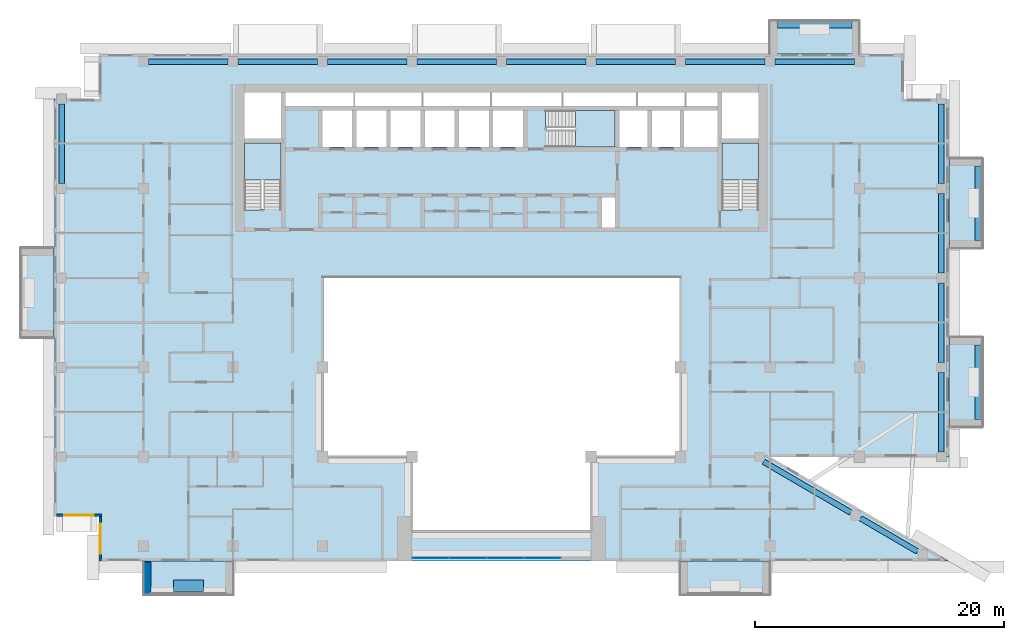
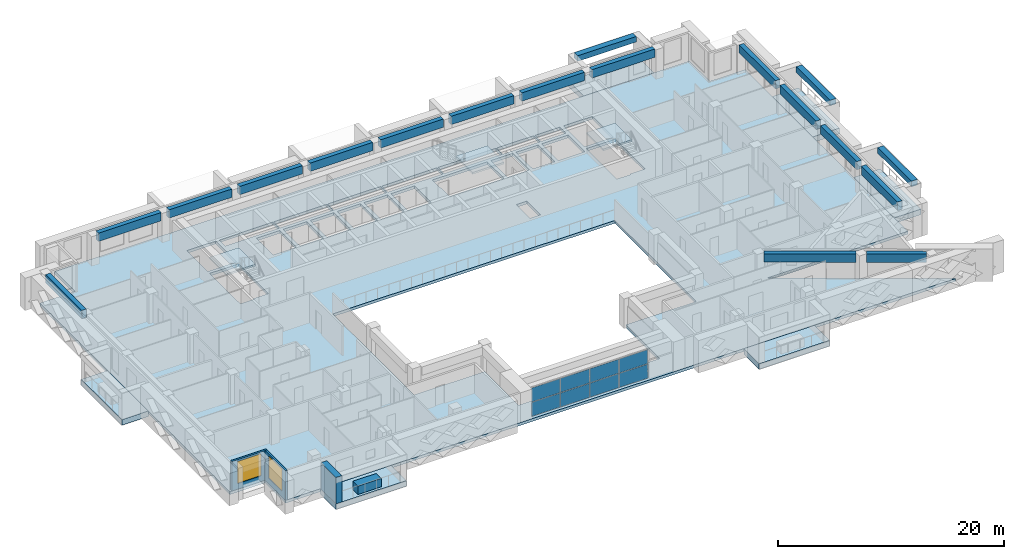
# One storey, part 5 of 20: 18 beams, 10 slabs, 8 plates, 4 walls, 2 windows, 2 openings, 4 elements without a shape of their own.
"""IFC4 building model written with IfcOpenShell, lengths in metres."""

from ifc_helpers import new_model, si_unit, direction, frame, frame_2d, origin, origin_2d, place, context, subcontext, project, spatial, polyline, rectangle, outline, extrude, source, transform, mapped, material, layer, layer_set, material_profile, profile_set, type_object, element, fill, aggregate, save


model = new_model("IFC4")

# Units and contexts
model_context = context("Model", 3, precision=1e-05, world=origin(), true_north=direction((0.0, 1.0)))
body_context = subcontext(model_context, "Body", "Model", "MODEL_VIEW")
ifc_project = project(units=[si_unit("LENGTHUNIT", "METRE"), si_unit("AREAUNIT", "SQUARE_METRE"), si_unit("VOLUMEUNIT", "CUBIC_METRE"), si_unit("PLANEANGLEUNIT", "RADIAN"), si_unit("MASSUNIT", "GRAM", prefix="KILO")], contexts=[model_context])

# Site, building, storey
site_placement = place(None, origin())
site = spatial("IfcSite", under=ifc_project, at=site_placement, CompositionType="ELEMENT")
building_placement = place(site_placement, origin())
building = spatial("IfcBuilding", under=site, at=building_placement, Name="Saffron Iwan Residences", CompositionType="ELEMENT")
storey_placement = place(building_placement, frame((0.0, 0.0, 188.5)))
storey = spatial("IfcBuildingStorey", under=building, at=storey_placement, Name="L50", CompositionType="ELEMENT", Elevation=188.5)

# Beams
ifc_material_1 = material(Name="Concrete C50/60", Category="concrete")
ifc_material_profile_1 = material_profile(ifc_material_1, rectangle(XDim=0.449951171875, YDim=0.89990234375, at=origin_2d()), Name="RC 450x900")
ifc_profile_set_1 = profile_set([ifc_material_profile_1], Name="Concrete C50/60")
beam_type_1 = type_object("IfcBeamType", Name="SPANDREL BEAM RC 450x900 C50/60 TOP 3200", PredefinedType="SPANDREL", material=ifc_profile_set_1)
shared_shape_1 = source(origin(), body_context, "Body", "SweptSolid", [
    extrude(rectangle(XDim=0.449951171875, YDim=0.89990234375, at=origin_2d()), origin(), (0.0, 0.0, 1.0), 5.300537109375),
])
beam_1_placement = place(storey_placement, frame((79.297607421875, 43.04833984375, 2.75), z_axis=(0.86379560586, -0.503842387357, 0.0), x_axis=(0.503842387357, 0.86379560586, 0.0)))
element("IfcBeam", 1, at=beam_1_placement, inside=storey, type_object=beam_type_1, Name="Spandrel beam", PredefinedType="SPANDREL", context=body_context, shape_type="MappedRepresentation", body=[
    mapped(shared_shape_1, transform((0.0, 0.0, 0.0))),
])
shared_shape_2 = source(origin(), body_context, "Body", "SweptSolid", [
    extrude(rectangle(XDim=0.449951171875, YDim=0.89990234375, at=origin_2d()), origin(), (0.0, 0.0, 1.0), 8.107177734375),
])
beam_2_placement = place(storey_placement, frame((71.494873046875, 47.60009765625, 2.75), z_axis=(0.863783269703, -0.503863536071, 0.0), x_axis=(0.503863536071, 0.863783269703, 0.0)))
element("IfcBeam", 2, at=beam_2_placement, inside=storey, type_object=beam_type_1, Name="Spandrel beam", PredefinedType="SPANDREL", context=body_context, shape_type="MappedRepresentation", body=[
    mapped(shared_shape_2, transform((0.0, 0.0, 0.0))),
])
shared_shape_3 = source(origin(), body_context, "Body", "SweptSolid", [
    extrude(rectangle(XDim=0.449951171875, YDim=0.89990234375, at=origin_2d()), origin(), (0.0, 0.0, 1.0), 6.400146484375),
])
for number, where, z_axis, x_axis, name in (
    (3, (85.800048828125, 54.800048828125, 2.75), (0.0, -1.0, 0.0), (1.0, 0.0, 0.0), "Spandrel beam"),
    (4, (29.199951171875, 79.800048828125, 2.75), (1.0, 0.0, 0.0), (0.0, 1.0, 0.0), "Spandrel beam"),
    (5, (36.39990234375, 79.800048828125, 2.75), (1.0, 0.0, 0.0), (0.0, 1.0, 0.0), "Spandrel beam"),
    (6, (65.199951171875, 79.800048828125, 2.75), (1.0, 0.0, 0.0), (0.0, 1.0, 0.0), "Spandrel beam"),
    (7, (72.39990234375, 79.800048828125, 2.75), (1.0, 0.0, 0.0), (0.0, 1.0, 0.0), "Spandrel beam"),
):
    element("IfcBeam", number, at=place(storey_placement, frame(where, z_axis=z_axis, x_axis=x_axis)), inside=storey, type_object=beam_type_1, Name=name, PredefinedType="SPANDREL", context=body_context, shape_type="MappedRepresentation", body=[
        mapped(shared_shape_3, transform((0.0, 0.0, 0.0))),
    ])
shared_shape_4 = source(origin(), body_context, "Body", "SweptSolid", [
    extrude(rectangle(XDim=0.449951171875, YDim=0.89990234375, at=origin_2d()), origin(), (0.0, 0.0, 1.0), 6.39990234375),
])
for number, where, z_axis, x_axis, name in (
    (8, (85.800048828125, 62.0, 2.75), (0.0, -1.0, 0.0), (1.0, 0.0, 0.0), "Spandrel beam"),
    (9, (85.800048828125, 69.199951171875, 2.75), (0.0, -1.0, 0.0), (1.0, 0.0, 0.0), "Spandrel beam"),
    (10, (15.0, 70.0, 2.75), (0.0, 1.0, 0.0), (-1.0, 0.0, 0.0), "Spandrel beam"),
    (11, (85.800048828125, 76.39990234375, 2.75), (0.0, -1.0, 0.0), (1.0, 0.0, 0.0), "Spandrel beam"),
    (12, (22.0, 79.800048828125, 2.75), (1.0, 0.0, 0.0), (0.0, 1.0, 0.0), "Spandrel beam"),
    (13, (43.60009765625, 79.800048828125, 2.75), (1.0, 0.0, 0.0), (0.0, 1.0, 0.0), "Spandrel beam"),
    (14, (50.800048828125, 79.800048828125, 2.75), (1.0, 0.0, 0.0), (0.0, 1.0, 0.0), "Spandrel beam"),
    (15, (58.0, 79.800048828125, 2.75), (1.0, 0.0, 0.0), (0.0, 1.0, 0.0), "Spandrel beam"),
):
    element("IfcBeam", number, at=place(storey_placement, frame(where, z_axis=z_axis, x_axis=x_axis)), inside=storey, type_object=beam_type_1, Name=name, PredefinedType="SPANDREL", context=body_context, shape_type="MappedRepresentation", body=[
        mapped(shared_shape_4, transform((0.0, 0.0, 0.0))),
    ])
ifc_material_2 = material(Name="Concrete C50/60 white painted", Category="concrete")
ifc_material_profile_2 = material_profile(ifc_material_2, rectangle(XDim=0.60009765625, YDim=0.60009765625, at=origin_2d()), Name="BALCONY FASCIA BEAM 600 x 600")
ifc_profile_set_2 = profile_set([ifc_material_profile_2], Name="Concrete C50/60 white painted")
beam_type_2 = type_object("IfcBeamType", Name="BALCONY FASCIA BEAM 600 x 600", PredefinedType="BEAM", material=ifc_profile_set_2)
shared_shape_5 = source(origin(), body_context, "Body", "SweptSolid", [
    extrude(rectangle(XDim=0.60009765625, YDim=0.60009765625, at=origin_2d()), origin(), (0.0, 0.0, 1.0), 6.0),
])
for number, where, z_axis, x_axis, name in (
    (16, (88.800048828125, 51.0, 2.550048828125), (0.0, 1.0, 0.0), (-1.0, 0.0, 0.0), "Balcony fascia beam L50 F2-0"),
    (17, (88.800048828125, 65.39990234375, 2.550048828125), (0.0, 1.0, 0.0), (-1.0, 0.0, 0.0), "Balcony fascia beam L50 F2-1"),
    (18, (78.60009765625, 82.800048828125, 2.550048828125), (-1.0, 0.0, 0.0), (0.0, -1.0, 0.0), "Balcony fascia beam L50 F5-0"),
):
    element("IfcBeam", number, at=place(storey_placement, frame(where, z_axis=z_axis, x_axis=x_axis)), inside=storey, type_object=beam_type_2, Name=name, PredefinedType="BEAM", context=body_context, shape_type="MappedRepresentation", body=[
        mapped(shared_shape_5, transform((0.0, 0.0, 0.0))),
    ])

# Slabs
ifc_layer_1 = layer(ifc_material_2, 0.60009765625)
ifc_layer_set_1 = layer_set([ifc_layer_1], Name="Concrete C50/60 white painted")
slab_type_1 = type_object("IfcSlabType", Name="BALCONY FRAME SLAB 600", PredefinedType="FLOOR", material=ifc_layer_set_1)
slab_1_placement = place(storey_placement, frame((0.0, 0.0, -0.60009765625)))
element("IfcSlab", 19, at=slab_1_placement, inside=storey, type_object=slab_type_1, Name="Balcony frame slab L50 F2-0", PredefinedType="FLOOR", context=body_context, shape_type="SweptSolid", body=[
    extrude(outline(polyline([(89.10009765625, 50.39990234375), (89.10009765625, 57.60009765625), (86.39990234375, 57.60009765625), (86.39990234375, 50.39990234375), (89.10009765625, 50.39990234375)])), origin(), (0.0, 0.0, 1.0), 0.60009765625),
])
slab_2_placement = place(storey_placement, frame((0.0, 0.0, -0.60009765625)))
element("IfcSlab", 20, at=slab_2_placement, inside=storey, type_object=slab_type_1, Name="Balcony frame slab L50 F2-1", PredefinedType="FLOOR", context=body_context, shape_type="SweptSolid", body=[
    extrude(outline(polyline([(89.10009765625, 64.800048828125), (89.10009765625, 72.0), (86.39990234375, 72.0), (86.39990234375, 64.800048828125), (89.10009765625, 64.800048828125)])), origin(), (0.0, 0.0, 1.0), 0.60009765625),
])
slab_3_placement = place(storey_placement, frame((0.0, 0.0, -0.60009765625)))
element("IfcSlab", 21, at=slab_3_placement, inside=storey, type_object=slab_type_1, Name="Balcony frame slab L50 F5-0", PredefinedType="FLOOR", context=body_context, shape_type="SweptSolid", body=[
    extrude(outline(polyline([(79.199951171875, 83.10009765625), (72.0, 83.10009765625), (72.0, 80.39990234375), (79.199951171875, 80.39990234375), (79.199951171875, 83.10009765625)])), origin(), (0.0, 0.0, 1.0), 0.60009765625),
])
slab_4_placement = place(storey_placement, frame((0.0, 0.0, -0.60009765625)))
element("IfcSlab", 22, at=slab_4_placement, inside=storey, type_object=slab_type_1, Name="Balcony frame slab L50 F8-0", PredefinedType="FLOOR", context=body_context, shape_type="SweptSolid", body=[
    extrude(outline(polyline([(11.699951171875, 64.800048828125), (11.699951171875, 57.60009765625), (14.39990234375, 57.60009765625), (14.39990234375, 64.800048828125), (11.699951171875, 64.800048828125)])), origin(), (0.0, 0.0, 1.0), 0.60009765625),
])
slab_5_placement = place(storey_placement, frame((0.0, 0.0, -0.60009765625)))
element("IfcSlab", 23, at=slab_5_placement, inside=storey, type_object=slab_type_1, Name="Balcony frame slab L50 11-0", PredefinedType="FLOOR", context=body_context, shape_type="SweptSolid", body=[
    extrude(outline(polyline([(21.60009765625, 36.89990234375), (28.800048828125, 36.89990234375), (28.800048828125, 39.60009765625), (21.60009765625, 39.60009765625), (21.60009765625, 36.89990234375)])), origin(), (0.0, 0.0, 1.0), 0.60009765625),
])
slab_6_placement = place(storey_placement, frame((0.0, 0.0, -0.60009765625)))
element("IfcSlab", 24, at=slab_6_placement, inside=storey, type_object=slab_type_1, Name="Balcony frame slab L50 11-1", PredefinedType="FLOOR", context=body_context, shape_type="SweptSolid", body=[
    extrude(outline(polyline([(64.800048828125, 36.89990234375), (72.0, 36.89990234375), (72.0, 39.60009765625), (64.800048828125, 39.60009765625), (64.800048828125, 36.89990234375)])), origin(), (0.0, 0.0, 1.0), 0.60009765625),
])
ifc_material_3 = material(Name="Concrete C40/50", Category="concrete")
ifc_layer_2 = layer(ifc_material_3, 0.300048828125)
ifc_layer_set_2 = layer_set([ifc_layer_2], Name="Concrete C40/50")
slab_type_2 = type_object("IfcSlabType", Name="PT PLATE 300 C40/50", PredefinedType="FLOOR", material=ifc_layer_set_2)
slab_7_placement = place(storey_placement, frame((0.0, 0.0, -0.300048828125)))
element("IfcSlab", 25, at=slab_7_placement, inside=storey, type_object=slab_type_2, Name="Floor slab L50", PredefinedType="FLOOR", context=body_context, shape_type="SweptSolid", body=[
    extrude(outline(polyline([(14.39990234375, 43.199951171875), (14.39990234375, 76.800048828125), (18.0, 76.800048828125), (18.0, 80.39990234375), (82.800048828125, 80.39990234375), (82.800048828125, 76.800048828125), (86.39990234375, 76.800048828125), (86.39990234375, 48.0), (72.0, 48.0), (86.39990234375, 39.60009765625), (18.0, 39.60009765625), (18.0, 43.199951171875), (14.39990234375, 43.199951171875)]), holes=[polyline([(64.800048828125, 48.0), (64.800048828125, 62.39990234375), (36.0, 62.39990234375), (36.0, 48.0), (43.199951171875, 48.0), (43.199951171875, 42.0), (57.60009765625, 42.0), (57.60009765625, 48.0), (64.800048828125, 48.0)]), polyline([(29.699951171875, 73.25), (29.699951171875, 67.949951171875), (29.699951171875, 67.8505859375), (31.10009765625, 67.8505859375), (31.10009765625, 67.949951171875), (32.64990234375, 67.949951171875), (32.64990234375, 73.25), (29.699951171875, 73.25)]), polyline([(38.375, 75.875), (35.97509765625, 75.875), (35.97509765625, 72.925048828125), (38.375, 72.925048828125), (38.375, 75.875)]), polyline([(41.125, 75.875), (38.72509765625, 75.875), (38.72509765625, 72.925048828125), (41.125, 72.925048828125), (41.125, 75.875)]), polyline([(43.875, 72.925048828125), (43.875, 75.875), (41.47509765625, 75.875), (41.47509765625, 72.925048828125), (43.875, 72.925048828125)]), polyline([(46.625, 72.925048828125), (46.625, 75.875), (44.22509765625, 75.875), (44.22509765625, 72.925048828125), (46.625, 72.925048828125)]), polyline([(49.375, 75.875), (46.97509765625, 75.875), (46.97509765625, 72.925048828125), (49.375, 72.925048828125), (49.375, 75.875)]), polyline([(52.125, 72.925048828125), (52.125, 75.875), (49.72509765625, 75.875), (49.72509765625, 72.925048828125), (52.125, 72.925048828125)]), polyline([(32.64990234375, 73.60009765625), (32.64990234375, 77.300048828125), (29.699951171875, 77.300048828125), (29.699951171875, 73.60009765625), (32.64990234375, 73.60009765625)]), polyline([(38.5, 77.300048828125), (33.0, 77.300048828125), (33.0, 76.22509765625), (38.5, 76.22509765625), (38.5, 77.300048828125)]), polyline([(44.0, 76.22509765625), (44.0, 77.300048828125), (38.60009765625, 77.300048828125), (38.60009765625, 76.22509765625), (44.0, 76.22509765625)]), polyline([(49.5, 76.22509765625), (49.5, 77.300048828125), (44.10009765625, 77.300048828125), (44.10009765625, 76.22509765625), (49.5, 76.22509765625)]), polyline([(59.550048828125, 68.875), (58.47509765625, 68.875), (58.47509765625, 66.449951171875), (59.550048828125, 66.449951171875), (59.550048828125, 68.875)]), polyline([(68.14990234375, 73.25), (68.14990234375, 67.949951171875), (68.14990234375, 67.8505859375), (69.550048828125, 67.8505859375), (69.550048828125, 67.949951171875), (71.10009765625, 67.949951171875), (71.10009765625, 73.25), (68.14990234375, 73.25)]), polyline([(54.02490234375, 74.47509765625), (54.02490234375, 72.925048828125), (59.550048828125, 72.925048828125), (59.550048828125, 75.875), (54.02490234375, 75.875), (53.925537109375, 75.875), (53.925537109375, 74.47509765625), (54.02490234375, 74.47509765625)]), polyline([(62.14990234375, 72.925048828125), (62.14990234375, 75.875), (59.89990234375, 75.875), (59.89990234375, 72.925048828125), (62.14990234375, 72.925048828125)]), polyline([(64.75, 72.925048828125), (64.75, 75.875), (62.5, 75.875), (62.5, 72.925048828125), (64.75, 72.925048828125)]), polyline([(67.800048828125, 75.875), (65.10009765625, 75.875), (65.10009765625, 72.925048828125), (67.800048828125, 72.925048828125), (67.800048828125, 75.875)]), polyline([(71.10009765625, 73.60009765625), (71.10009765625, 77.300048828125), (68.14990234375, 77.300048828125), (68.14990234375, 73.60009765625), (71.10009765625, 73.60009765625)]), polyline([(55.25, 76.22509765625), (55.25, 77.300048828125), (49.60009765625, 77.300048828125), (49.60009765625, 76.22509765625), (55.25, 76.22509765625)]), polyline([(61.25, 77.300048828125), (55.35009765625, 77.300048828125), (55.35009765625, 76.22509765625), (61.25, 76.22509765625), (61.25, 77.300048828125)]), polyline([(65.14990234375, 76.22509765625), (65.14990234375, 77.300048828125), (61.35009765625, 77.300048828125), (61.35009765625, 76.22509765625), (65.14990234375, 76.22509765625)]), polyline([(67.800048828125, 76.22509765625), (67.800048828125, 77.300048828125), (65.25, 77.300048828125), (65.25, 76.22509765625), (67.800048828125, 76.22509765625)])]), origin(), (0.0, 0.0, 1.0), 0.300048828125),
])

# Stair, slab
stair_type = type_object("IfcStairType", Name="Stair ST-CORE", PredefinedType="HALF_TURN_STAIR", material=ifc_material_1)
stair_1_placement = place(storey_placement, origin())
stair_1 = element("IfcStair", 26, at=stair_1_placement, inside=storey, type_object=stair_type, Name="L50 Exit Stair ST-W", PredefinedType="HALF_TURN_STAIR")
ifc_layer_3 = layer(ifc_material_1, 0.199951171875)
ifc_layer_set_3 = layer_set([ifc_layer_3], Name="Concrete C50/60")
slab_type_3 = type_object("IfcSlabType", Name="Stair landing SL-RC", PredefinedType="LANDING", material=ifc_layer_set_3)
slab_8_placement = place(storey_placement, frame((0.0, 0.0, 1.5498046875)))
slab_8 = element("IfcSlab", 27, at=slab_8_placement, type_object=slab_type_3, Name="ST-W landing 1", PredefinedType="LANDING", context=body_context, shape_type="SweptSolid", body=[
    extrude(outline(polyline([(32.64990234375, 70.280029296875), (32.64990234375, 73.25), (29.699951171875, 73.25), (29.699951171875, 70.280029296875), (32.64990234375, 70.280029296875)])), origin(), (0.0, 0.0, 1.0), 0.2001953125),
])
aggregate(stair_1, [slab_8])

stair_2_placement = place(storey_placement, origin())
stair_2 = element("IfcStair", 28, at=stair_2_placement, inside=storey, type_object=stair_type, Name="L50 Exit Stair ST-C", PredefinedType="HALF_TURN_STAIR")
slab_9_placement = place(storey_placement, frame((0.0, 0.0, 1.5498046875)))
slab_9 = element("IfcSlab", 29, at=slab_9_placement, type_object=slab_type_3, Name="ST-C landing 1", PredefinedType="LANDING", context=body_context, shape_type="SweptSolid", body=[
    extrude(outline(polyline([(56.35498046875, 72.925048828125), (59.550048828125, 72.925048828125), (59.550048828125, 75.875), (56.35498046875, 75.875), (56.35498046875, 72.925048828125)])), origin(), (0.0, 0.0, 1.0), 0.2001953125),
])
aggregate(stair_2, [slab_9])

stair_3_placement = place(storey_placement, origin())
stair_3 = element("IfcStair", 30, at=stair_3_placement, inside=storey, type_object=stair_type, Name="L50 Exit Stair ST-E", PredefinedType="HALF_TURN_STAIR")
slab_10_placement = place(storey_placement, frame((0.0, 0.0, 1.5498046875)))
slab_10 = element("IfcSlab", 31, at=slab_10_placement, type_object=slab_type_3, Name="ST-E landing 1", PredefinedType="LANDING", context=body_context, shape_type="SweptSolid", body=[
    extrude(outline(polyline([(71.10009765625, 70.280029296875), (71.10009765625, 73.25), (68.14990234375, 73.25), (68.14990234375, 70.280029296875), (71.10009765625, 70.280029296875)])), origin(), (0.0, 0.0, 1.0), 0.2001953125),
])
aggregate(stair_3, [slab_10])

# Curtain wall, plates
ifc_material_4 = material(Name="Clear glass, laminated double glazed", Category="glass")
ifc_layer_4 = layer(ifc_material_4, 0.199951171875)
ifc_layer_set_4 = layer_set([ifc_layer_4], Name="Clear glass, laminated double glazed")
curtain_wall_type = type_object("IfcCurtainWallType", Name="CW-B IWAN PORTAL", PredefinedType="NOTDEFINED", material=ifc_layer_set_4)
curtain_wall_placement = place(storey_placement, origin())
curtain_wall = element("IfcCurtainWall", 32, at=curtain_wall_placement, inside=storey, type_object=curtain_wall_type, Name="Iwan portal glazing L50.1", PredefinedType="NOTDEFINED")
ifc_layer_5 = layer(ifc_material_4, 0.028076171875)
ifc_layer_set_5 = layer_set([ifc_layer_5], Name="Clear glass, laminated double glazed")
plate_type = type_object("IfcPlateType", Name="CW-B PANEL 28", PredefinedType="CURTAIN_PANEL", material=ifc_layer_set_5)
shared_shape_6 = source(origin(), body_context, "Body", "SweptSolid", [
    extrude(rectangle(XDim=2.909912109375, YDim=0.028076171875, at=origin_2d()), origin(), (0.0, 0.0, 1.0), 1.510009765625),
])
plate_1_placement = place(storey_placement, frame((44.715087890625, 39.85009765625, 0.06005859375), z_axis=(0.0, 0.0, 1.0), x_axis=(1.0, 0.0, 0.0)))
plate_1 = element("IfcPlate", 33, at=plate_1_placement, type_object=plate_type, Name="CW-B panel 1.1", PredefinedType="CURTAIN_PANEL", context=body_context, shape_type="MappedRepresentation", body=[
    mapped(shared_shape_6, transform((0.0, 0.0, 0.0))),
])
plate_2_placement = place(storey_placement, frame((44.715087890625, 39.85009765625, 1.6298828125), z_axis=(0.0, 0.0, 1.0), x_axis=(1.0, 0.0, 0.0)))
plate_2 = element("IfcPlate", 34, at=plate_2_placement, type_object=plate_type, Name="CW-B panel 1.2", PredefinedType="CURTAIN_PANEL", context=body_context, shape_type="MappedRepresentation", body=[
    mapped(shared_shape_6, transform((0.0, 0.0, 0.0))),
])
plate_3_placement = place(storey_placement, frame((53.68505859375, 39.85009765625, 0.06005859375), z_axis=(0.0, 0.0, 1.0), x_axis=(1.0, 0.0, 0.0)))
plate_3 = element("IfcPlate", 35, at=plate_3_placement, type_object=plate_type, Name="CW-B panel 4.1", PredefinedType="CURTAIN_PANEL", context=body_context, shape_type="MappedRepresentation", body=[
    mapped(shared_shape_6, transform((0.0, 0.0, 0.0))),
])
plate_4_placement = place(storey_placement, frame((53.68505859375, 39.85009765625, 1.6298828125), z_axis=(0.0, 0.0, 1.0), x_axis=(1.0, 0.0, 0.0)))
plate_4 = element("IfcPlate", 36, at=plate_4_placement, type_object=plate_type, Name="CW-B panel 4.2", PredefinedType="CURTAIN_PANEL", context=body_context, shape_type="MappedRepresentation", body=[
    mapped(shared_shape_6, transform((0.0, 0.0, 0.0))),
])
shared_shape_7 = source(origin(), body_context, "Body", "SweptSolid", [
    extrude(rectangle(XDim=2.93994140625, YDim=0.028076171875, at=origin_2d()), origin(), (0.0, 0.0, 1.0), 1.510009765625),
])
plate_5_placement = place(storey_placement, frame((47.699951171875, 39.85009765625, 0.06005859375), z_axis=(0.0, 0.0, 1.0), x_axis=(1.0, 0.0, 0.0)))
plate_5 = element("IfcPlate", 37, at=plate_5_placement, type_object=plate_type, Name="CW-B panel 2.1", PredefinedType="CURTAIN_PANEL", context=body_context, shape_type="MappedRepresentation", body=[
    mapped(shared_shape_7, transform((0.0, 0.0, 0.0))),
])
plate_6_placement = place(storey_placement, frame((47.699951171875, 39.85009765625, 1.6298828125), z_axis=(0.0, 0.0, 1.0), x_axis=(1.0, 0.0, 0.0)))
plate_6 = element("IfcPlate", 38, at=plate_6_placement, type_object=plate_type, Name="CW-B panel 2.2", PredefinedType="CURTAIN_PANEL", context=body_context, shape_type="MappedRepresentation", body=[
    mapped(shared_shape_7, transform((0.0, 0.0, 0.0))),
])
plate_7_placement = place(storey_placement, frame((50.699951171875, 39.85009765625, 0.06005859375), z_axis=(0.0, 0.0, 1.0), x_axis=(1.0, 0.0, 0.0)))
plate_7 = element("IfcPlate", 39, at=plate_7_placement, type_object=plate_type, Name="CW-B panel 3.1", PredefinedType="CURTAIN_PANEL", context=body_context, shape_type="MappedRepresentation", body=[
    mapped(shared_shape_7, transform((0.0, 0.0, 0.0))),
])
plate_8_placement = place(storey_placement, frame((50.699951171875, 39.85009765625, 1.6298828125), z_axis=(0.0, 0.0, 1.0), x_axis=(1.0, 0.0, 0.0)))
plate_8 = element("IfcPlate", 40, at=plate_8_placement, type_object=plate_type, Name="CW-B panel 3.2", PredefinedType="CURTAIN_PANEL", context=body_context, shape_type="MappedRepresentation", body=[
    mapped(shared_shape_7, transform((0.0, 0.0, 0.0))),
])
aggregate(curtain_wall, [plate_1, plate_2, plate_5, plate_6, plate_7, plate_8, plate_3, plate_4])

# Walls
ifc_layer_6 = layer(ifc_material_2, 0.60009765625)
ifc_layer_set_6 = layer_set([ifc_layer_6], Name="Concrete C50/60 white painted")
wall_type_1 = type_object("IfcWallType", Name="BALCONY FIN 600", PredefinedType="SOLIDWALL", material=ifc_layer_set_6)
wall_1_placement = place(storey_placement, frame((21.89990234375, 39.550048828125, 0.0), z_axis=(0.0, 0.0, 1.0), x_axis=(0.0, -1.0, 0.0)))
element("IfcWall", 41, at=wall_1_placement, inside=storey, type_object=wall_type_1, Name="Balcony fin L50 11-0a", PredefinedType="SOLIDWALL", context=body_context, shape_type="SweptSolid", body=[
    extrude(rectangle(XDim=2.650146484375, YDim=0.60009765625, at=frame_2d((1.3251953125, 0.0))), origin(), (0.0, 0.0, 1.0), 2.85009765625),
])
ifc_material_5 = material(Name="Concrete C35/45 white painted", Category="concrete")
ifc_layer_7 = layer(ifc_material_5, 0.14990234375)
ifc_layer_set_7 = layer_set([ifc_layer_7], Name="Concrete C35/45 white painted")
wall_type_2 = type_object("IfcWallType", Name="BALCONY PLANTER", PredefinedType="SOLIDWALL", material=ifc_layer_set_7)
wall_2_placement = place(storey_placement, frame((24.0, 37.625, 0.0), z_axis=(0.0, 0.0, 1.0), x_axis=(1.0, 0.0, 0.0)))
element("IfcWall", 42, at=wall_2_placement, inside=storey, type_object=wall_type_2, Name="PLANTER L50 11-0", PredefinedType="SOLIDWALL", context=body_context, shape_type="SweptSolid", body=[
    extrude(rectangle(XDim=2.39990234375, YDim=0.89990234375, at=frame_2d((1.199951171875, 0.0))), origin(), (0.0, 0.0, 1.0), 0.89990234375),
])

# Wall, opening, window
ifc_layer_8 = layer(ifc_material_3, 0.199951171875)
ifc_layer_set_8 = layer_set([ifc_layer_8], Name="Concrete C40/50")
wall_type_3 = type_object("IfcWallType", Name="EXTERNAL WALL 200", PredefinedType="SOLIDWALL", material=ifc_layer_set_8)
wall_3_placement = place(storey_placement, frame((14.60009765625, 43.300048828125, 0.0), z_axis=(0.0, 0.0, 1.0), x_axis=(1.0, 0.0, 0.0)))
wall_3 = element("IfcWall", 43, at=wall_3_placement, inside=storey, type_object=wall_type_3, Name="External wall L50 F9.0", PredefinedType="SOLIDWALL", context=body_context, shape_type="SweptSolid", body=[
    extrude(rectangle(XDim=3.599853515625, YDim=0.199951171875, at=frame_2d((1.7998046875, 0.0))), origin(), (0.0, 0.0, 1.0), 3.199951171875),
])
opening_1_placement = place(wall_3_placement, frame((0.60009765625, 0.0, 0.60009765625)))
opening_1 = element("IfcOpeningElement", 44, at=opening_1_placement, cuts=wall_3, Name="Opening W1", PredefinedType="OPENING", context=body_context, shape_type="SweptSolid", body=[
    extrude(rectangle(XDim=2.39990234375, YDim=2.39990234375, at=frame_2d((1.199951171875, 1.199951171875))), frame((0.0, 0.10986328125, 0.0), z_axis=(0.0, -1.0, 0.0), x_axis=(1.0, 0.0, 0.0)), (0.0, 0.0, 1.0), 0.219970703125),
])
window_type = type_object("IfcWindowType", Name="WINDOW 2400 x 2400", PartitioningType="DOUBLE_PANEL_VERTICAL", PredefinedType="WINDOW", material=ifc_material_4)
window_1_placement = place(opening_1_placement, origin())
window_1 = element("IfcWindow", 45, at=window_1_placement, inside=storey, type_object=window_type, Name="Window L50 F9.0", OverallHeight=2.39990234375, OverallWidth=2.39990234375, PartitioningType="DOUBLE_PANEL_VERTICAL", PredefinedType="WINDOW", context=body_context, shape_type="SweptSolid", body=[
    extrude(rectangle(XDim=2.39990234375, YDim=2.39990234375, at=frame_2d((1.199951171875, 1.199951171875))), frame((0.0, 0.030029296875, 0.0), z_axis=(0.0, -1.0, 0.0), x_axis=(1.0, 0.0, 0.0)), (0.0, 0.0, 1.0), 0.06005859375),
])
fill(opening_1, window_1)

wall_4_placement = place(storey_placement, frame((18.10009765625, 43.199951171875, 0.0), z_axis=(0.0, 0.0, 1.0), x_axis=(0.0, -1.0, 0.0)))
wall_4 = element("IfcWall", 46, at=wall_4_placement, inside=storey, type_object=wall_type_3, Name="External wall L50 F10.0", PredefinedType="SOLIDWALL", context=body_context, shape_type="SweptSolid", body=[
    extrude(rectangle(XDim=3.599853515625, YDim=0.199951171875, at=frame_2d((1.7998046875, 0.0))), origin(), (0.0, 0.0, 1.0), 3.199951171875),
])
opening_2_placement = place(wall_4_placement, frame((0.60009765625, 0.0, 0.60009765625)))
opening_2 = element("IfcOpeningElement", 47, at=opening_2_placement, cuts=wall_4, Name="Opening W1", PredefinedType="OPENING", context=body_context, shape_type="SweptSolid", body=[
    extrude(rectangle(XDim=2.39990234375, YDim=2.39990234375, at=frame_2d((1.199951171875, 1.199951171875))), frame((0.0, 0.10986328125, 0.0), z_axis=(0.0, -1.0, 0.0), x_axis=(1.0, 0.0, 0.0)), (0.0, 0.0, 1.0), 0.219970703125),
])
window_2_placement = place(opening_2_placement, origin())
window_2 = element("IfcWindow", 48, at=window_2_placement, inside=storey, type_object=window_type, Name="Window L50 F10.0", OverallHeight=2.39990234375, OverallWidth=2.39990234375, PartitioningType="DOUBLE_PANEL_VERTICAL", PredefinedType="WINDOW", context=body_context, shape_type="SweptSolid", body=[
    extrude(rectangle(XDim=2.39990234375, YDim=2.39990234375, at=frame_2d((1.199951171875, 1.199951171875))), frame((0.0, 0.030029296875, 0.0), z_axis=(0.0, -1.0, 0.0), x_axis=(1.0, 0.0, 0.0)), (0.0, 0.0, 1.0), 0.06005859375),
])
fill(opening_2, window_2)

save(model, "model.ifc")
